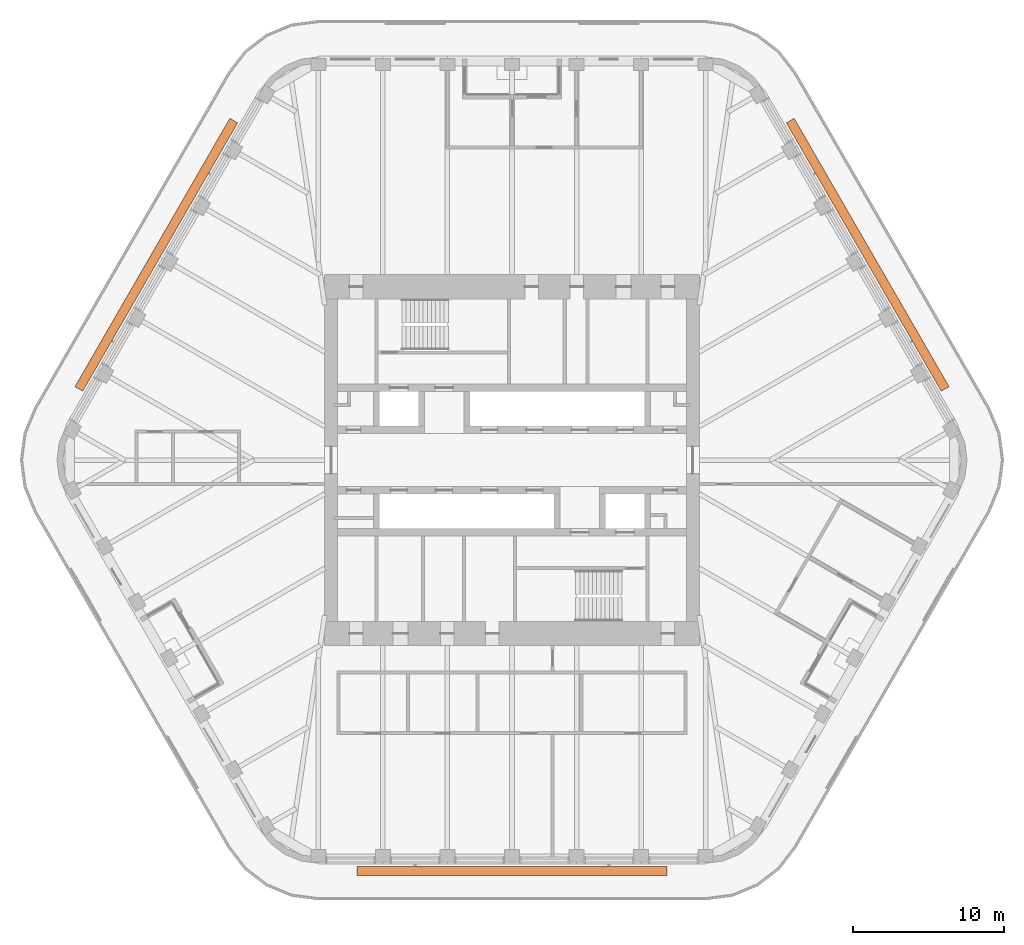
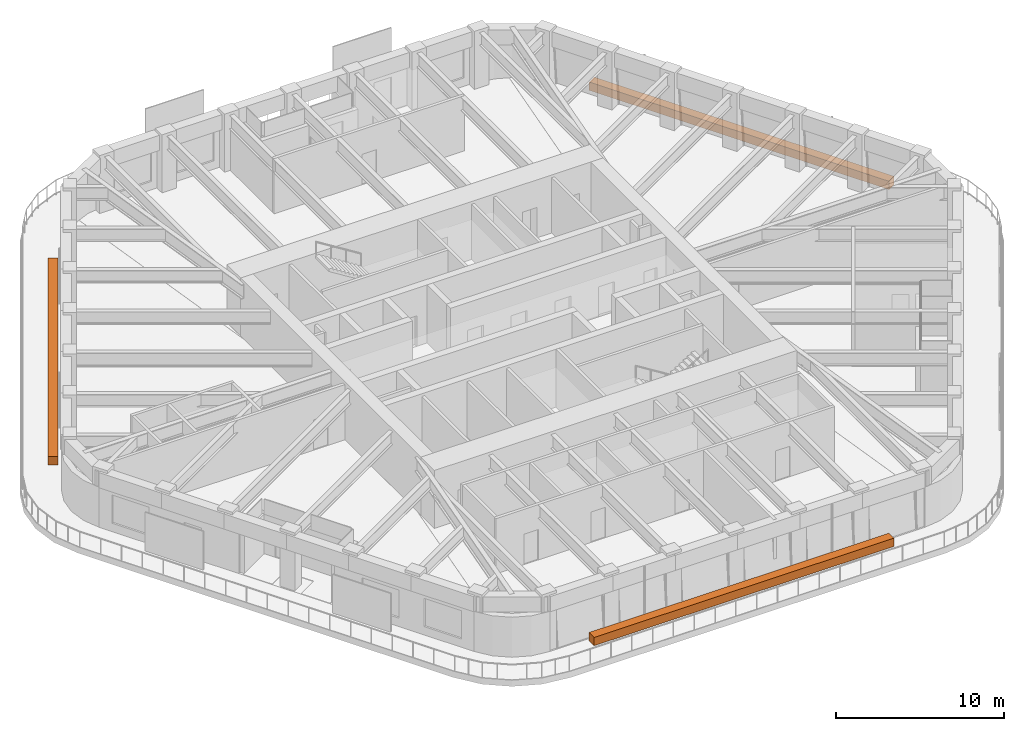
# One storey, part 19 of 19: 3 proxies.
"""IFC4 building model written with IfcOpenShell, lengths in metres."""

from ifc_helpers import new_model, si_unit, direction, frame, origin, origin_2d, place, context, subcontext, project, spatial, rectangle, extrude, material, element, save


model = new_model("IFC4")

# Units and contexts
model_context = context("Model", 3, precision=1e-05, world=origin(), true_north=direction((0.0, 1.0)))
body_context = subcontext(model_context, "Body", "Model", "MODEL_VIEW")
ifc_project = project(units=[si_unit("LENGTHUNIT", "METRE"), si_unit("AREAUNIT", "SQUARE_METRE"), si_unit("VOLUMEUNIT", "CUBIC_METRE"), si_unit("PLANEANGLEUNIT", "RADIAN"), si_unit("MASSUNIT", "GRAM", prefix="KILO")], contexts=[model_context])

# Site, building, storey
site_placement = place(None, origin())
site = spatial("IfcSite", under=ifc_project, at=site_placement, CompositionType="ELEMENT")
building_placement = place(site_placement, origin())
building = spatial("IfcBuilding", under=site, at=building_placement, Name="Tarfa Lantern Tower", CompositionType="ELEMENT")
storey_placement = place(building_placement, frame((0.0, 0.0, 332.5)))
storey = spatial("IfcBuildingStorey", under=building, at=storey_placement, Name="L75", CompositionType="ELEMENT", Elevation=332.5)

# Proxies
ifc_material = material(Name="Planting bed")
for number, where, z_axis, x_axis, name in (
    (1, (23.59912109375, 13.625, 0.0), (0.0, 0.0, 1.0), (-0.5, 0.866025403784, 0.0), "Balcony planter"),
    (2, (-23.59912109375, 13.625, 0.0), (0.0, 0.0, 1.0), (-0.5, -0.866025403784, 0.0), "Balcony planter"),
    (3, (0.0, -27.25, 0.0), (0.0, 0.0, 1.0), (1.0, 0.0, 0.0), "Balcony planter"),
):
    element("IfcBuildingElementProxy", number, at=place(storey_placement, frame(where, z_axis=z_axis, x_axis=x_axis)), inside=storey, material=ifc_material, Name=name, ObjectType="PLANTER", PredefinedType="USERDEFINED", context=body_context, shape_type="SweptSolid", body=[
        extrude(rectangle(XDim=20.5537109375, YDim=0.60009765625, at=origin_2d()), origin(), (0.0, 0.0, 1.0), 0.60009765625),
    ])

save(model, "model.ifc")
